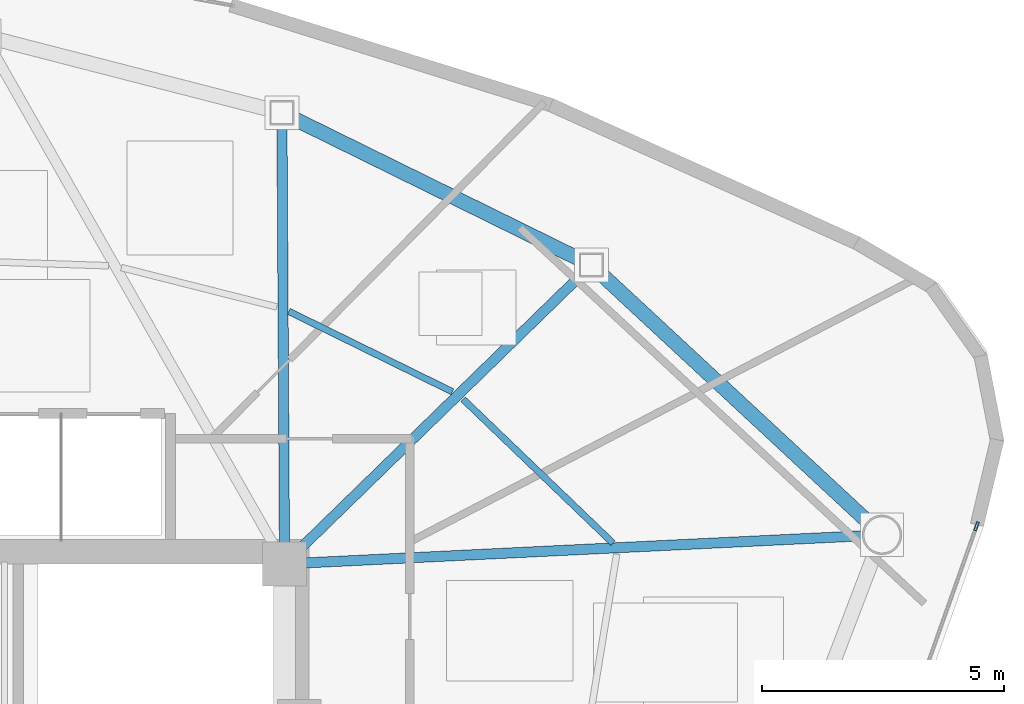
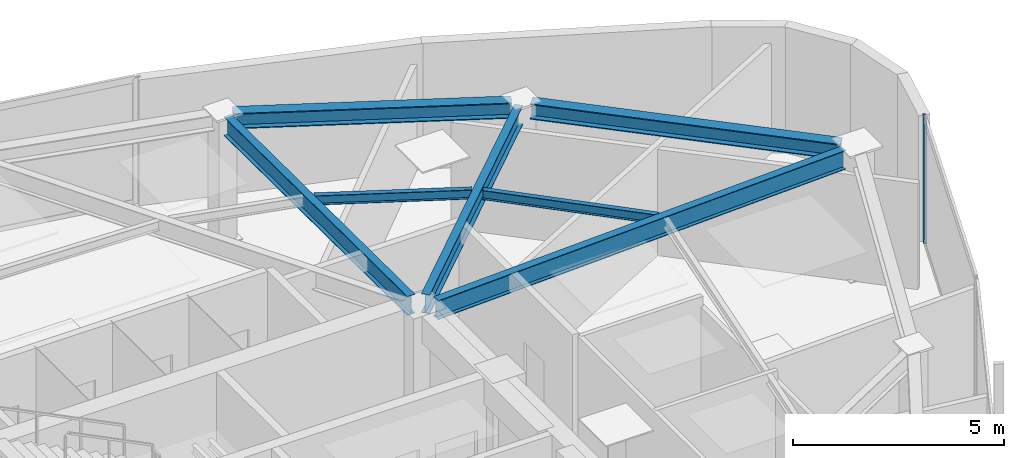
# One storey, part 6 of 13: 7 beams, 1 member, 1 element without a shape of its own.
"""IFC4 building model written with IfcOpenShell, lengths in metres."""

from ifc_helpers import new_model, si_unit, direction, frame, origin, origin_2d, place, context, subcontext, project, spatial, hollow_rectangle, i_section, extrude, source, transform, mapped, material, layer, layer_set, material_profile, profile_set, type_object, type_shapes, element, aggregate, save


model = new_model("IFC4")

# Units and contexts
model_context = context("Model", 3, precision=1e-05, world=origin(), true_north=direction((0.0, 1.0)))
body_context = subcontext(model_context, "Body", "Model", "MODEL_VIEW")
ifc_project = project(units=[si_unit("LENGTHUNIT", "METRE"), si_unit("AREAUNIT", "SQUARE_METRE"), si_unit("VOLUMEUNIT", "CUBIC_METRE"), si_unit("PLANEANGLEUNIT", "RADIAN"), si_unit("MASSUNIT", "GRAM", prefix="KILO")], contexts=[model_context])

# Site, building, storey
site_placement = place(None, origin())
site = spatial("IfcSite", under=ifc_project, at=site_placement, CompositionType="ELEMENT")
building_placement = place(site_placement, origin())
building = spatial("IfcBuilding", under=site, at=building_placement, Name="Tavelor Broadcast Tower", CompositionType="ELEMENT")
storey_placement = place(building_placement, frame((0.0, 0.0, 265.60009765625)))
storey = spatial("IfcBuildingStorey", under=building, at=storey_placement, Name="L63", CompositionType="ELEMENT", Elevation=265.60009765625)

# Beams
ifc_material_1 = material(Name="Steel S355", Category="steel")
ifc_material_profile_1 = material_profile(ifc_material_1, i_section(OverallWidth=0.135009765625, OverallDepth=0.27001953125, WebThickness=0.006591796875, FlangeThickness=0.01025390625, at=origin_2d()), Name="IPE 270")
ifc_profile_set_1 = profile_set([ifc_material_profile_1], Name="Steel S355")
beam_type_1 = type_object("IfcBeamType", Name="Composite Floor Joist T6 IPE 270", PredefinedType="JOIST", material=ifc_profile_set_1)
beam_1_placement = place(storey_placement, frame((63.373779296875, 51.627197265625, 3.514892578125), z_axis=(-0.72136115861, 0.692559079682, 0.0), x_axis=(-0.692559079682, -0.72136115861, 0.0)))
element("IfcBeam", 1, at=beam_1_placement, inside=storey, type_object=beam_type_1, Name="L63 Secondary Composite Floor Joist 13", PredefinedType="JOIST", context=body_context, shape_type="SweptSolid", body=[
    extrude(i_section(OverallWidth=0.135009765625, OverallDepth=0.27001953125, WebThickness=0.006591796875, FlangeThickness=0.01025390625, at=origin_2d()), origin(), (0.0, 0.0, 1.0), 4.2890625),
])
beam_2_placement = place(storey_placement, frame((60.062744140625, 54.749755859375, 3.514892578125), z_axis=(-0.897549365046, 0.440913979485, 0.0), x_axis=(-0.440913979485, -0.897549365046, 0.0)))
element("IfcBeam", 2, at=beam_2_placement, inside=storey, type_object=beam_type_1, Name="L63 Secondary Composite Floor Joist 14", PredefinedType="JOIST", context=body_context, shape_type="SweptSolid", body=[
    extrude(i_section(OverallWidth=0.135009765625, OverallDepth=0.27001953125, WebThickness=0.006591796875, FlangeThickness=0.01025390625, at=origin_2d()), origin(), (0.0, 0.0, 1.0), 3.758056640625),
])
ifc_material_profile_2 = material_profile(ifc_material_1, i_section(OverallWidth=0.300048828125, OverallDepth=0.449951171875, WebThickness=0.013916015625, FlangeThickness=0.02587890625, at=origin_2d()), Name="HEB 450")
ifc_profile_set_2 = profile_set([ifc_material_profile_2], Name="Steel S355")
beam_type_2 = type_object("IfcBeamType", Name="Perimeter Spandrel Beam T6 HEB 450", PredefinedType="SPANDREL", material=ifc_profile_set_2)
beam_3_placement = place(storey_placement, frame((68.6337890625, 52.064697265625, 3.4248046875), z_axis=(-0.732775058348, 0.680470950051, 0.0), x_axis=(-0.680470950051, -0.732775058348, 0.0)))
element("IfcBeam", 3, at=beam_3_placement, inside=storey, type_object=beam_type_2, Name="L63 Framed-Tube Ring Spandrel 13", PredefinedType="SPANDREL", context=body_context, shape_type="SweptSolid", body=[
    extrude(i_section(OverallWidth=0.300048828125, OverallDepth=0.449951171875, WebThickness=0.013916015625, FlangeThickness=0.02587890625, at=origin_2d()), origin(), (0.0, 0.0, 1.0), 7.547607421875),
])
beam_4_placement = place(storey_placement, frame((62.7119140625, 57.469970703125, 3.4248046875), z_axis=(-0.897258179133, 0.441506240022, 0.0), x_axis=(-0.441506240022, -0.897258179134, 0.0)))
element("IfcBeam", 4, at=beam_4_placement, inside=storey, type_object=beam_type_2, Name="L63 Framed-Tube Ring Spandrel 14", PredefinedType="SPANDREL", context=body_context, shape_type="SweptSolid", body=[
    extrude(i_section(OverallWidth=0.300048828125, OverallDepth=0.449951171875, WebThickness=0.013916015625, FlangeThickness=0.02587890625, at=origin_2d()), origin(), (0.0, 0.0, 1.0), 6.63232421875),
])
ifc_material_profile_3 = material_profile(ifc_material_1, i_section(OverallWidth=0.2099609375, OverallDepth=0.550048828125, WebThickness=0.010986328125, FlangeThickness=0.01708984375, at=origin_2d()), Name="IPE 550")
ifc_profile_set_3 = profile_set([ifc_material_profile_3], Name="Steel S355")
beam_type_3 = type_object("IfcBeamType", Name="Radial Floor Girder T6 IPE 550", PredefinedType="BEAM", material=ifc_profile_set_3)
beam_5_placement = place(storey_placement, frame((57.031494140625, 51.220947265625, 3.375), z_axis=(0.998819991205, 0.048565678915, 0.0), x_axis=(-0.048565678915, 0.998819991205, 0.0)))
element("IfcBeam", 5, at=beam_5_placement, inside=storey, type_object=beam_type_3, Name="L63 Radial Primary Floor Girder 13", PredefinedType="BEAM", context=body_context, shape_type="SweptSolid", body=[
    extrude(i_section(OverallWidth=0.2099609375, OverallDepth=0.550048828125, WebThickness=0.010986328125, FlangeThickness=0.01708984375, at=origin_2d()), origin(), (0.0, 0.0, 1.0), 11.511962890625),
])
beam_6_placement = place(storey_placement, frame((56.909423828125, 51.50146484375, 3.375), z_axis=(0.716304728622, 0.697787600745, 0.0), x_axis=(-0.697787600745, 0.716304728622, 0.0)))
element("IfcBeam", 6, at=beam_6_placement, inside=storey, type_object=beam_type_3, Name="L63 Radial Primary Floor Girder 14", PredefinedType="BEAM", context=body_context, shape_type="SweptSolid", body=[
    extrude(i_section(OverallWidth=0.2099609375, OverallDepth=0.550048828125, WebThickness=0.010986328125, FlangeThickness=0.01708984375, at=origin_2d()), origin(), (0.0, 0.0, 1.0), 8.161376953125),
])
beam_7_placement = place(storey_placement, frame((56.597412109375, 51.632080078125, 3.375), z_axis=(-0.005826187281, 0.999983027627, 0.0), x_axis=(-0.999983027627, -0.005826187281, 0.0)))
element("IfcBeam", 7, at=beam_7_placement, inside=storey, type_object=beam_type_3, Name="L63 Radial Primary Floor Girder 15", PredefinedType="BEAM", context=body_context, shape_type="SweptSolid", body=[
    extrude(i_section(OverallWidth=0.2099609375, OverallDepth=0.550048828125, WebThickness=0.010986328125, FlangeThickness=0.01708984375, at=origin_2d()), origin(), (0.0, 0.0, 1.0), 8.63232421875),
])

# Curtain wall, member
ifc_material_2 = material(Name="Architectural Anodized Aluminium", Category="aluminium")
ifc_layer = layer(ifc_material_2, 0.199951171875)
ifc_layer_set = layer_set([ifc_layer], Name="Architectural Anodized Aluminium")
curtain_wall_type = type_object("IfcCurtainWallType", Name="Tower High-Zone Triple-Glazed Curtain Wall CW04", PredefinedType="NOTDEFINED", material=ifc_layer_set)
curtain_wall_placement = place(storey_placement, origin())
curtain_wall = element("IfcCurtainWall", 8, at=curtain_wall_placement, inside=storey, type_object=curtain_wall_type, Name="L63 Curtain Wall CW04 Run 692", PredefinedType="NOTDEFINED")
ifc_material_profile_4 = material_profile(ifc_material_2, hollow_rectangle(XDim=0.070068359375, YDim=0.199951171875, WallThickness=0.02197265625, at=origin_2d()), Name="RHS 70x200x22")
ifc_profile_set_4 = profile_set([ifc_material_profile_4], Name="Architectural Anodized Aluminium")
member_type = type_object("IfcMemberType", Name="CW04 Extruded Aluminium Mullion 70x200", PredefinedType="MULLION", material=ifc_profile_set_4)
shared_shape = source(origin(), body_context, "Body", "SweptSolid", [
    extrude(hollow_rectangle(XDim=0.070068359375, YDim=0.199951171875, WallThickness=0.02197265625, at=origin_2d()), origin(), (0.0, 0.0, 1.0), 3.64990234375),
])
type_shapes(member_type, [shared_shape])
member_placement = place(storey_placement, frame((70.868896484375, 51.9775390625, 0.0), z_axis=(0.0, 0.0, 1.0), x_axis=(-0.942506233959, 0.33418856795, 0.0)))
member = element("IfcMember", 9, at=member_placement, type_object=member_type, Name="CW04 mullion 2", PredefinedType="MULLION", context=body_context, shape_type="MappedRepresentation", body=[
    mapped(shared_shape, transform((0.0, 0.0, 0.0), scale=1.0)),
])
aggregate(curtain_wall, [member])

save(model, "model.ifc")
